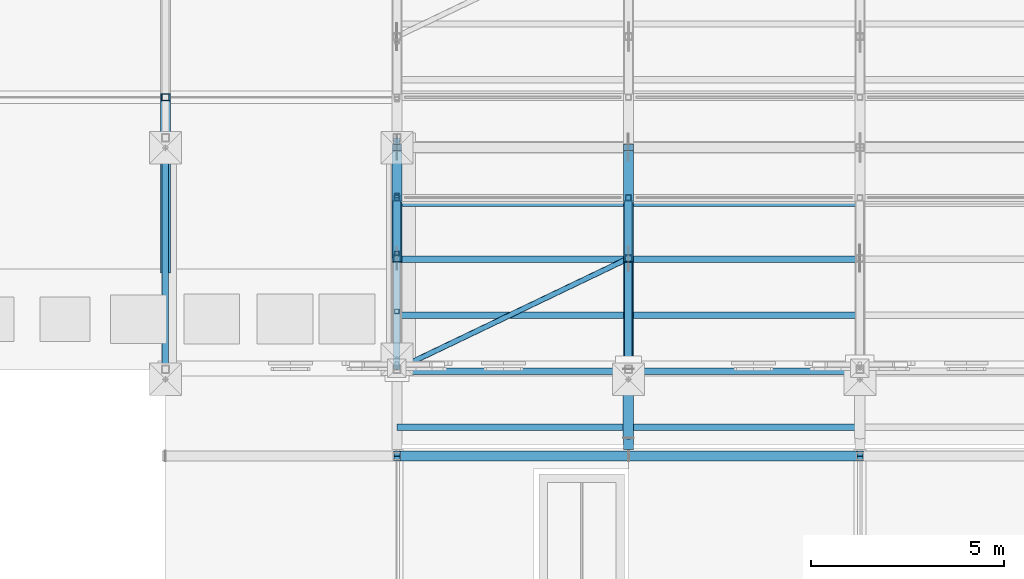
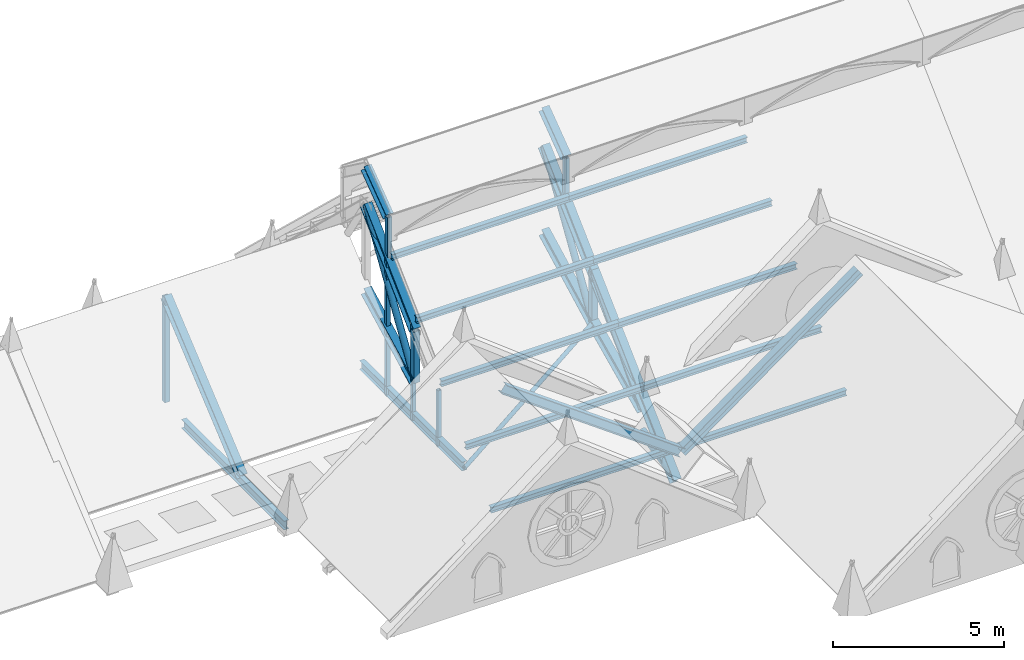
# One storey, part 5 of 33: 34 members, 2 beams.
"""IFC4 building model written with IfcOpenShell, lengths in metres."""

from ifc_helpers import new_model, si_unit, direction, frame, origin, origin_2d, place, context, subcontext, project, spatial, hollow_rectangle, hollow_circle, i_section, extrude, material, material_profile, profile_set, type_object, element, save


model = new_model("IFC4")

# Units and contexts
model_context = context("Model", 3, precision=1e-05, world=origin(), true_north=direction((0.0, 1.0)))
body_context = subcontext(model_context, "Body", "Model", "MODEL_VIEW")
ifc_project = project(units=[si_unit("LENGTHUNIT", "METRE"), si_unit("AREAUNIT", "SQUARE_METRE"), si_unit("VOLUMEUNIT", "CUBIC_METRE"), si_unit("PLANEANGLEUNIT", "RADIAN"), si_unit("MASSUNIT", "GRAM", prefix="KILO")], contexts=[model_context])

# Site, building, storey
site_placement = place(None, origin())
site = spatial("IfcSite", under=ifc_project, at=site_placement, CompositionType="ELEMENT")
building_placement = place(site_placement, origin())
building = spatial("IfcBuilding", under=site, at=building_placement, Name="Cumevento Cable Car Station", CompositionType="ELEMENT")
storey_placement = place(building_placement, frame((0.0, 0.0, 22.5)))
storey = spatial("IfcBuildingStorey", under=building, at=storey_placement, Name="RF", CompositionType="ELEMENT", Elevation=22.5)

# Members
ifc_material_1 = material(Name="Steel ASTM A572 Grade 50", Category="steel")
ifc_material_profile_1 = material_profile(ifc_material_1, hollow_rectangle(XDim=0.179931640625, YDim=0.179931640625, WallThickness=0.010009765625, at=origin_2d()), Name="HSS180x180x10.0")
ifc_profile_set_1 = profile_set([ifc_material_profile_1], Name="Steel ASTM A572 Grade 50")
member_type_1 = type_object("IfcMemberType", Name="Framing Brace BR-01 HSS180x180x10.0", PredefinedType="BRACE", material=ifc_profile_set_1)
member_1_placement = place(storey_placement, frame((58.0, 52.050048828125, 0.360107421875), z_axis=(0.0, 0.0, 1.0), x_axis=(1.0, 0.0, 0.0)))
element("IfcMember", 1, at=member_1_placement, inside=storey, type_object=member_type_1, Name="Wing B_V3d King Post #757", PredefinedType="BRACE", context=body_context, shape_type="SweptSolid", body=[
    extrude(hollow_rectangle(XDim=0.179931640625, YDim=0.179931640625, WallThickness=0.010009765625, at=origin_2d()), origin(), (0.0, 0.0, 1.0), 3.73388671875),
])
ifc_material_2 = material(Name="Steel ASTM A572 Grade 50", Category="steel")
ifc_material_profile_2 = material_profile(ifc_material_2, hollow_circle(Radius=0.06982421875, WallThickness=0.008056640625, at=origin_2d()), Name="CHS139.7x8.0")
ifc_profile_set_2 = profile_set([ifc_material_profile_2], Name="Steel ASTM A572 Grade 50")
member_type_2 = type_object("IfcMemberType", Name="Framing Brace BR-02 CHS139.7x8.0", PredefinedType="BRACE", material=ifc_profile_set_2)
member_2_placement = place(storey_placement, frame((64.0, 45.0, 0.139892578125), z_axis=(0.883803033724, 0.423488953659, 0.198870067403), x_axis=(-0.432120180431, 0.901816028725, 0.0)))
element("IfcMember", 2, at=member_2_placement, inside=storey, type_object=member_type_2, Name="Boarding Hall Roof Wind Brace #332", PredefinedType="BRACE", context=body_context, shape_type="SweptSolid", body=[
    extrude(hollow_circle(Radius=0.06982421875, WallThickness=0.008056640625, at=origin_2d()), origin(), (0.0, 0.0, 1.0), 6.788818359375),
])
ifc_material_3 = material(Name="Steel ASTM A572 Grade 50", Category="steel")
ifc_material_profile_3 = material_profile(ifc_material_3, hollow_circle(Radius=0.109619140625, WallThickness=0.012451171875, at=origin_2d()), Name="CHS219.1x12.5")
ifc_profile_set_3 = profile_set([ifc_material_profile_3], Name="Steel ASTM A572 Grade 50")
member_type_3 = type_object("IfcMemberType", Name="Framing Brace TD-01 CHS219.1x12.5", PredefinedType="BRACE", material=ifc_profile_set_3)
member_3_placement = place(storey_placement, frame((64.0, 47.875, 1.489990234375), z_axis=(0.0, 0.532794069711, 0.846244928659), x_axis=(-1.0, 0.0, 0.0)))
element("IfcMember", 3, at=member_3_placement, inside=storey, type_object=member_type_3, Name="Boarding Hall Vault Arch Diagonal #19", PredefinedType="BRACE", context=body_context, shape_type="SweptSolid", body=[
    extrude(hollow_circle(Radius=0.109619140625, WallThickness=0.012451171875, at=origin_2d()), origin(), (0.0, 0.0, 1.0), 5.39599609375),
])
member_4_placement = place(storey_placement, frame((70.0, 45.0, 0.139892578125), z_axis=(0.0, 0.669655633009, 0.74267175332), x_axis=(-1.0, 0.0, 0.0)))
element("IfcMember", 4, at=member_4_placement, inside=storey, type_object=member_type_3, Name="Boarding Hall Vault Arch Diagonal #45", PredefinedType="BRACE", context=body_context, shape_type="SweptSolid", body=[
    extrude(hollow_circle(Radius=0.109619140625, WallThickness=0.012451171875, at=origin_2d()), origin(), (0.0, 0.0, 1.0), 4.293212890625),
])
member_5_placement = place(storey_placement, frame((70.0, 47.875, 1.489990234375), z_axis=(0.0, 0.532794069711, 0.846244928659), x_axis=(-1.0, 0.0, 0.0)))
element("IfcMember", 5, at=member_5_placement, inside=storey, type_object=member_type_3, Name="Boarding Hall Vault Arch Diagonal #46", PredefinedType="BRACE", context=body_context, shape_type="SweptSolid", body=[
    extrude(hollow_circle(Radius=0.109619140625, WallThickness=0.012451171875, at=origin_2d()), origin(), (0.0, 0.0, 1.0), 5.39599609375),
])
ifc_material_4 = material(Name="Steel ASTM A572 Grade 50", Category="steel")
ifc_material_profile_4 = material_profile(ifc_material_4, i_section(OverallWidth=0.257080078125, OverallDepth=0.363037109375, WebThickness=0.012939453125, FlangeThickness=0.021728515625, at=origin_2d()), Name="W360x122.0")
ifc_profile_set_4 = profile_set([ifc_material_profile_4], Name="Steel ASTM A572 Grade 50")
member_type_4 = type_object("IfcMemberType", Name="Framing Chord TC-01 W360x122.0", PredefinedType="CHORD", material=ifc_profile_set_4)
member_6_placement = place(storey_placement, frame((64.0, 47.875, 3.328369140625), z_axis=(0.0, 0.725405335462, 0.688321944502), x_axis=(-1.0, 0.0, 0.0)))
element("IfcMember", 6, at=member_6_placement, inside=storey, type_object=member_type_4, Name="Boarding Hall Vault Upper Rafter S #8", PredefinedType="CHORD", context=body_context, shape_type="SweptSolid", body=[
    extrude(i_section(OverallWidth=0.257080078125, OverallDepth=0.363037109375, WebThickness=0.012939453125, FlangeThickness=0.021728515625, at=origin_2d()), origin(), (0.0, 0.0, 1.0), 3.96337890625),
])
member_7_placement = place(storey_placement, frame((70.0, 43.050048828125, -1.25048828125), z_axis=(0.0, 0.725363131924, 0.688366419028), x_axis=(-1.0, 0.0, 0.0)))
element("IfcMember", 7, at=member_7_placement, inside=storey, type_object=member_type_4, Name="Boarding Hall Vault Lower Rafter S #34", PredefinedType="CHORD", context=body_context, shape_type="SweptSolid", body=[
    extrude(i_section(OverallWidth=0.257080078125, OverallDepth=0.363037109375, WebThickness=0.012939453125, FlangeThickness=0.021728515625, at=origin_2d()), origin(), (0.0, 0.0, 1.0), 6.65185546875),
])
member_8_placement = place(storey_placement, frame((70.0, 47.875, 3.328369140625), z_axis=(0.0, 0.725405335462, 0.688321944502), x_axis=(-1.0, 0.0, 0.0)))
element("IfcMember", 8, at=member_8_placement, inside=storey, type_object=member_type_4, Name="Boarding Hall Vault Upper Rafter S #35", PredefinedType="CHORD", context=body_context, shape_type="SweptSolid", body=[
    extrude(i_section(OverallWidth=0.257080078125, OverallDepth=0.363037109375, WebThickness=0.012939453125, FlangeThickness=0.021728515625, at=origin_2d()), origin(), (0.0, 0.0, 1.0), 3.96337890625),
])
ifc_material_5 = material(Name="Steel ASTM A572 Grade 50", Category="steel")
ifc_material_profile_5 = material_profile(ifc_material_5, i_section(OverallWidth=0.2548828125, OverallDepth=0.35693359375, WebThickness=0.010498046875, FlangeThickness=0.018310546875, at=origin_2d()), Name="W360x101.0")
ifc_profile_set_5 = profile_set([ifc_material_profile_5], Name="Steel ASTM A572 Grade 50")
member_type_5 = type_object("IfcMemberType", Name="Framing Chord TC-02 W360x101.0", PredefinedType="CHORD", material=ifc_profile_set_5)
member_9_placement = place(storey_placement, frame((64.0, 47.875, 1.489990234375), z_axis=(0.0, 0.886584846165, 0.462566006695), x_axis=(-1.0, 0.0, 0.0)))
element("IfcMember", 9, at=member_9_placement, inside=storey, type_object=member_type_5, Name="Boarding Hall Pointed-Arch Bottom Chord #4", PredefinedType="CHORD", context=body_context, shape_type="SweptSolid", body=[
    extrude(i_section(OverallWidth=0.2548828125, OverallDepth=0.35693359375, WebThickness=0.010498046875, FlangeThickness=0.018310546875, at=origin_2d()), origin(), (0.0, 0.0, 1.0), 3.24267578125),
])
member_10_placement = place(storey_placement, frame((70.0, 45.0, 0.139892578125), z_axis=(0.0, 0.905163318391, 0.425063956411), x_axis=(-1.0, 0.0, 0.0)))
element("IfcMember", 10, at=member_10_placement, inside=storey, type_object=member_type_5, Name="Boarding Hall Pointed-Arch Bottom Chord #30", PredefinedType="CHORD", context=body_context, shape_type="SweptSolid", body=[
    extrude(i_section(OverallWidth=0.2548828125, OverallDepth=0.35693359375, WebThickness=0.010498046875, FlangeThickness=0.018310546875, at=origin_2d()), origin(), (0.0, 0.0, 1.0), 3.17626953125),
])
member_11_placement = place(storey_placement, frame((70.0, 47.875, 1.489990234375), z_axis=(0.0, 0.886584846165, 0.462566006695), x_axis=(-1.0, 0.0, 0.0)))
element("IfcMember", 11, at=member_11_placement, inside=storey, type_object=member_type_5, Name="Boarding Hall Pointed-Arch Bottom Chord #31", PredefinedType="CHORD", context=body_context, shape_type="SweptSolid", body=[
    extrude(i_section(OverallWidth=0.2548828125, OverallDepth=0.35693359375, WebThickness=0.010498046875, FlangeThickness=0.018310546875, at=origin_2d()), origin(), (0.0, 0.0, 1.0), 3.24267578125),
])
ifc_material_6 = material(Name="Steel ASTM A572 Grade 50", Category="steel")
ifc_material_profile_6 = material_profile(ifc_material_6, i_section(OverallWidth=0.25390625, OverallDepth=0.305908203125, WebThickness=0.0087890625, FlangeThickness=0.0146484375, at=origin_2d()), Name="W310x79.0")
ifc_profile_set_6 = profile_set([ifc_material_profile_6], Name="Steel ASTM A572 Grade 50")
member_type_6 = type_object("IfcMemberType", Name="Framing Chord TC-03 W310x79.0", PredefinedType="CHORD", material=ifc_profile_set_6)
for number, where, z_axis, x_axis, name in (
    (12, (64.0, 49.449951171875, 6.419921875), (0.0, 0.804455479385, 0.594012947407), (-1.0, 0.0, 0.0), "Boarding Hall Lantern Pointed Rafter #12"),
    (13, (70.0, 49.449951171875, 6.419921875), (0.0, 0.804455479385, 0.594012947407), (-1.0, 0.0, 0.0), "Boarding Hall Lantern Pointed Rafter #39"),
):
    element("IfcMember", number, at=place(storey_placement, frame(where, z_axis=z_axis, x_axis=x_axis)), inside=storey, type_object=member_type_6, Name=name, PredefinedType="CHORD", context=body_context, shape_type="SweptSolid", body=[
        extrude(i_section(OverallWidth=0.25390625, OverallDepth=0.305908203125, WebThickness=0.0087890625, FlangeThickness=0.0146484375, at=origin_2d()), origin(), (0.0, 0.0, 1.0), 1.615966796875),
    ])
for number, where, z_axis, x_axis, name in (
    (14, (70.0, 42.75, 0.0), (-0.809604181367, 0.0, 0.586976208643), (0.0, -1.0, 0.0), "Wing B_V2c Rafter #715"),
    (15, (70.0, 42.75, 0.0), (0.809604181367, 0.0, 0.586976208643), (0.0, 1.0, 0.0), "Wing B_V2d Rafter #721"),
):
    element("IfcMember", number, at=place(storey_placement, frame(where, z_axis=z_axis, x_axis=x_axis)), inside=storey, type_object=member_type_6, Name=name, PredefinedType="CHORD", context=body_context, shape_type="SweptSolid", body=[
        extrude(i_section(OverallWidth=0.25390625, OverallDepth=0.305908203125, WebThickness=0.0087890625, FlangeThickness=0.0146484375, at=origin_2d()), origin(), (0.0, 0.0, 1.0), 7.4111328125),
    ])
member_12_placement = place(storey_placement, frame((58.0, 47.60009765625, 0.360107421875), z_axis=(0.0, 0.766050009553, 0.642780975811), x_axis=(-1.0, 0.0, 0.0)))
element("IfcMember", 16, at=member_12_placement, inside=storey, type_object=member_type_6, Name="Wing B_V3d Rafter #758", PredefinedType="CHORD", context=body_context, shape_type="SweptSolid", body=[
    extrude(i_section(OverallWidth=0.25390625, OverallDepth=0.305908203125, WebThickness=0.0087890625, FlangeThickness=0.0146484375, at=origin_2d()), origin(), (0.0, 0.0, 1.0), 5.808837890625),
])
ifc_material_7 = material(Name="Steel ASTM A572 Grade 50", Category="steel")
ifc_material_profile_7 = material_profile(ifc_material_7, hollow_rectangle(XDim=0.199951171875, YDim=0.199951171875, WallThickness=0.012451171875, at=origin_2d()), Name="HSS200x200x12.5")
ifc_profile_set_7 = profile_set([ifc_material_profile_7], Name="Steel ASTM A572 Grade 50")
member_type_7 = type_object("IfcMemberType", Name="Framing Post TD-03 HSS200x200x12.5", PredefinedType="POST", material=ifc_profile_set_7)
for number, where, z_axis, x_axis, name in (
    (17, (64.0, 47.875, 1.489990234375), (0.0, 0.0, 1.0), (1.0, 0.0, 0.0), "Boarding Hall Truss Web Vertical #15"),
    (18, (70.0, 47.875, 1.489990234375), (0.0, 0.0, 1.0), (1.0, 0.0, 0.0), "Boarding Hall Truss Web Vertical #42"),
):
    element("IfcMember", number, at=place(storey_placement, frame(where, z_axis=z_axis, x_axis=x_axis)), inside=storey, type_object=member_type_7, Name=name, PredefinedType="POST", context=body_context, shape_type="SweptSolid", body=[
        extrude(hollow_rectangle(XDim=0.199951171875, YDim=0.199951171875, WallThickness=0.012451171875, at=origin_2d()), origin(), (0.0, 0.0, 1.0), 1.83837890625),
    ])
ifc_material_8 = material(Name="Steel ASTM A572 Grade 50", Category="steel")
ifc_material_profile_8 = material_profile(ifc_material_8, hollow_rectangle(XDim=0.14990234375, YDim=0.14990234375, WallThickness=0.010009765625, at=origin_2d()), Name="HSS150x150x10.0")
ifc_profile_set_8 = profile_set([ifc_material_profile_8], Name="Steel ASTM A572 Grade 50")
member_type_8 = type_object("IfcMemberType", Name="Framing Post TD-04 HSS150x150x10.0", PredefinedType="POST", material=ifc_profile_set_8)
for number, where, z_axis, x_axis, name in (
    (19, (64.0, 49.449951171875, 4.822998046875), (0.0, 0.0, 1.0), (1.0, 0.0, 0.0), "Boarding Hall Lantern Clerestory Post #11"),
    (20, (70.0, 49.449951171875, 4.822998046875), (0.0, 0.0, 1.0), (1.0, 0.0, 0.0), "Boarding Hall Lantern Clerestory Post #38"),
):
    element("IfcMember", number, at=place(storey_placement, frame(where, z_axis=z_axis, x_axis=x_axis)), inside=storey, type_object=member_type_8, Name=name, PredefinedType="POST", context=body_context, shape_type="SweptSolid", body=[
        extrude(hollow_rectangle(XDim=0.14990234375, YDim=0.14990234375, WallThickness=0.010009765625, at=origin_2d()), origin(), (0.0, 0.0, 1.0), 1.596923828125),
    ])
ifc_material_9 = material(Name="Steel ASTM A572 Grade 50", Category="steel")
ifc_material_profile_9 = material_profile(ifc_material_9, i_section(OverallWidth=0.1650390625, OverallDepth=0.200927734375, WebThickness=0.006103515625, FlangeThickness=0.01025390625, at=origin_2d()), Name="W200x35.9")
ifc_profile_set_9 = profile_set([ifc_material_profile_9], Name="Steel ASTM A572 Grade 50")
member_type_9 = type_object("IfcMemberType", Name="Framing Purlin PR-01 W200x35.9", PredefinedType="PURLIN", material=ifc_profile_set_9)
for number, where, z_axis, x_axis, name in (
    (21, (64.0, 43.5, -0.427734375), (1.0, 0.0, 0.0), (0.0, 1.0, 0.0), "Boarding Hall Vault Purlin #233"),
    (22, (64.0, 44.949951171875, 0.9482421875), (1.0, 0.0, 0.0), (0.0, 1.0, 0.0), "Boarding Hall Vault Purlin #234"),
    (23, (64.0, 46.39990234375, 2.32421875), (1.0, 0.0, 0.0), (0.0, 1.0, 0.0), "Boarding Hall Vault Purlin #235"),
    (24, (64.0, 47.85009765625, 3.7001953125), (1.0, 0.0, 0.0), (0.0, 1.0, 0.0), "Boarding Hall Vault Purlin #236"),
    (25, (64.0, 49.300048828125, 5.076171875), (1.0, 0.0, 0.0), (0.0, 1.0, 0.0), "Boarding Hall Vault Purlin #237"),
    (26, (70.0, 43.5, -0.427734375), (1.0, 0.0, 0.0), (0.0, 1.0, 0.0), "Boarding Hall Vault Purlin #244"),
    (27, (70.0, 44.949951171875, 0.9482421875), (1.0, 0.0, 0.0), (0.0, 1.0, 0.0), "Boarding Hall Vault Purlin #245"),
    (28, (70.0, 46.39990234375, 2.32421875), (1.0, 0.0, 0.0), (0.0, 1.0, 0.0), "Boarding Hall Vault Purlin #246"),
    (29, (70.0, 47.85009765625, 3.7001953125), (1.0, 0.0, 0.0), (0.0, 1.0, 0.0), "Boarding Hall Vault Purlin #247"),
    (30, (70.0, 49.300048828125, 5.076171875), (1.0, 0.0, 0.0), (0.0, 1.0, 0.0), "Boarding Hall Vault Purlin #248"),
):
    element("IfcMember", number, at=place(storey_placement, frame(where, z_axis=z_axis, x_axis=x_axis)), inside=storey, type_object=member_type_9, Name=name, PredefinedType="PURLIN", context=body_context, shape_type="SweptSolid", body=[
        extrude(i_section(OverallWidth=0.1650390625, OverallDepth=0.200927734375, WebThickness=0.006103515625, FlangeThickness=0.01025390625, at=origin_2d()), origin(), (0.0, 0.0, 1.0), 6.0),
    ])
ifc_material_10 = material(Name="Steel ASTM A572 Grade 50", Category="steel")
ifc_material_profile_10 = material_profile(ifc_material_10, hollow_rectangle(XDim=0.1201171875, YDim=0.1201171875, WallThickness=0.008056640625, at=origin_2d()), Name="HSS120x120x8.0")
ifc_profile_set_10 = profile_set([ifc_material_profile_10], Name="Steel ASTM A572 Grade 50")
member_type_10 = type_object("IfcMemberType", Name="Framing Strut BR-03 HSS120x120x8.0", PredefinedType="STRUT", material=ifc_profile_set_10)
member_13_placement = place(storey_placement, frame((64.0, 46.5, 0.0), z_axis=(0.0, 0.0, 1.0), x_axis=(1.0, 0.0, 0.0)))
element("IfcMember", 31, at=member_13_placement, inside=storey, type_object=member_type_10, Name="Boarding Hall Gable Tracery Mullion #22", PredefinedType="STRUT", context=body_context, shape_type="SweptSolid", body=[
    extrude(hollow_rectangle(XDim=0.1201171875, YDim=0.1201171875, WallThickness=0.008056640625, at=origin_2d()), origin(), (0.0, 0.0, 1.0), 2.0234375),
])
member_14_placement = place(storey_placement, frame((64.0, 48.0, 0.0), z_axis=(0.0, 0.0, 1.0), x_axis=(1.0, 0.0, 0.0)))
element("IfcMember", 32, at=member_14_placement, inside=storey, type_object=member_type_10, Name="Boarding Hall Gable Tracery Mullion #23", PredefinedType="STRUT", context=body_context, shape_type="SweptSolid", body=[
    extrude(hollow_rectangle(XDim=0.1201171875, YDim=0.1201171875, WallThickness=0.008056640625, at=origin_2d()), origin(), (0.0, 0.0, 1.0), 3.447021484375),
])
member_15_placement = place(storey_placement, frame((64.0, 49.5, 0.0), z_axis=(0.0, 0.0, 1.0), x_axis=(1.0, 0.0, 0.0)))
element("IfcMember", 33, at=member_15_placement, inside=storey, type_object=member_type_10, Name="Boarding Hall Gable Tracery Mullion #24", PredefinedType="STRUT", context=body_context, shape_type="SweptSolid", body=[
    extrude(hollow_rectangle(XDim=0.1201171875, YDim=0.1201171875, WallThickness=0.008056640625, at=origin_2d()), origin(), (0.0, 0.0, 1.0), 4.870361328125),
])
ifc_material_11 = material(Name="Steel ASTM A572 Grade 50", Category="steel")
ifc_material_profile_11 = material_profile(ifc_material_11, hollow_circle(Radius=0.136474609375, WallThickness=0.012451171875, at=origin_2d()), Name="CHS273.0x12.5")
ifc_profile_set_11 = profile_set([ifc_material_profile_11], Name="Steel ASTM A572 Grade 50")
member_type_11 = type_object("IfcMemberType", Name="Framing Strut BR-04 CHS273.0x12.5", PredefinedType="STRUT", material=ifc_profile_set_11)
member_16_placement = place(storey_placement, frame((70.0, 45.0, -0.64990234375), z_axis=(0.0, -0.971775656246, -0.23590691793), x_axis=(1.0, 0.0, 0.0)))
element("IfcMember", 34, at=member_16_placement, inside=storey, type_object=member_type_11, Name="Boarding Hall Vault Arch Diagonal #49", PredefinedType="STRUT", context=body_context, shape_type="SweptSolid", body=[
    extrude(hollow_circle(Radius=0.136474609375, WallThickness=0.012451171875, at=origin_2d()), origin(), (0.0, 0.0, 1.0), 1.821533203125),
])

# Beams
ifc_material_12 = material(Name="Steel ASTM A572 Grade 50", Category="steel")
ifc_material_profile_12 = material_profile(ifc_material_12, i_section(OverallWidth=0.1669921875, OverallDepth=0.31689453125, WebThickness=0.007568359375, FlangeThickness=0.01318359375, at=origin_2d()), Name="W310x52.0")
ifc_profile_set_12 = profile_set([ifc_material_profile_12], Name="Steel ASTM A572 Grade 50")
beam_type = type_object("IfcBeamType", Name="Structural Beam RF-02 W310x52.0", PredefinedType="BEAM", material=ifc_profile_set_12)
for number, where, z_axis, x_axis, name in (
    (35, (58.0, 45.0, 0.201416015625), (0.0, 1.0, 0.0), (-1.0, 0.0, 0.0), "Monitor Support Beam #102"),
    (36, (64.0, 45.0, 0.201416015625), (0.0, 1.0, 0.0), (-1.0, 0.0, 0.0), "Monitor Support Beam #103"),
):
    element("IfcBeam", number, at=place(storey_placement, frame(where, z_axis=z_axis, x_axis=x_axis)), inside=storey, type_object=beam_type, Name=name, PredefinedType="BEAM", context=body_context, shape_type="SweptSolid", body=[
        extrude(i_section(OverallWidth=0.1669921875, OverallDepth=0.31689453125, WebThickness=0.007568359375, FlangeThickness=0.01318359375, at=origin_2d()), origin(), (0.0, 0.0, 1.0), 6.0),
    ])

save(model, "model.ifc")
